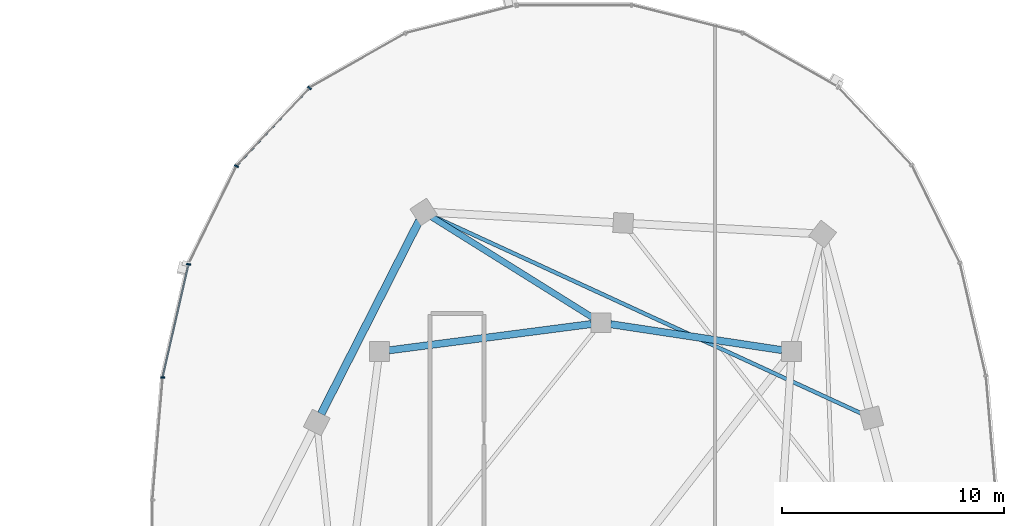
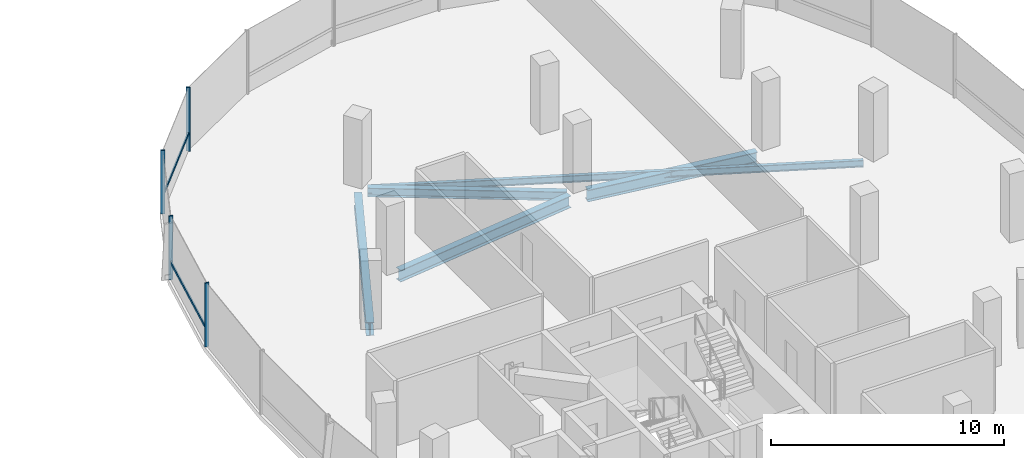
# One storey, part 11 of 24: 6 members, 5 beams, 1 element without a shape of its own.
"""IFC4 building model written with IfcOpenShell, lengths in metres."""

from ifc_helpers import new_model, si_unit, direction, frame, origin, origin_2d, place, context, subcontext, project, spatial, rectangle, i_section, extrude, material, material_profile, profile_set, type_object, element, aggregate, save


model = new_model("IFC4")

# Units and contexts
model_context = context("Model", 3, precision=1e-05, world=origin(), true_north=direction((0.0, 1.0)))
body_context = subcontext(model_context, "Body", "Model", "MODEL_VIEW")
ifc_project = project(units=[si_unit("LENGTHUNIT", "METRE"), si_unit("AREAUNIT", "SQUARE_METRE"), si_unit("VOLUMEUNIT", "CUBIC_METRE"), si_unit("PLANEANGLEUNIT", "RADIAN"), si_unit("MASSUNIT", "GRAM", prefix="KILO"), si_unit("THERMODYNAMICTEMPERATUREUNIT", "KELVIN"), si_unit("POWERUNIT", "WATT")], contexts=[model_context])

# Site, building, storey
site_placement = place(None, origin())
site = spatial("IfcSite", under=ifc_project, at=site_placement, CompositionType="ELEMENT")
building_placement = place(site_placement, origin())
building = spatial("IfcBuilding", under=site, at=building_placement, Name="Cundina Bronze Exchange", CompositionType="ELEMENT")
storey_placement = place(building_placement, frame((0.0, 0.0, 227.800048828125)))
storey = spatial("IfcBuildingStorey", under=building, at=storey_placement, Name="L60", CompositionType="ELEMENT", Elevation=227.800048828125)

# Beams
ifc_material_1 = material(Name="Steel ASTM A992 Grade 50", Category="steel")
ifc_material_profile_1 = material_profile(ifc_material_1, i_section(OverallWidth=0.280029296875, OverallDepth=0.462890625, WebThickness=0.0107421875, FlangeThickness=0.017333984375, FilletRadius=0.011962890625, at=origin_2d()), Name="W18X76", Category="steel")
ifc_profile_set_1 = profile_set([ifc_material_profile_1], Name="Steel ASTM A992 Grade 50")
beam_type_1 = type_object("IfcBeamType", Name="BM-FLR-W18A", PredefinedType="BEAM", material=ifc_profile_set_1)
beam_1_placement = place(storey_placement, frame((32.82861328125, 11.031982421875, -0.491455078125), z_axis=(-0.847995098703, 0.530004068452, 0.0), x_axis=(-0.530004068452, -0.847995098703, 0.0)))
element("IfcBeam", 1, at=beam_1_placement, inside=storey, type_object=beam_type_1, Name="L60 Leg E Chordal Floor Beam 12", PredefinedType="BEAM", context=body_context, shape_type="SweptSolid", body=[
    extrude(i_section(OverallWidth=0.280029296875, OverallDepth=0.462890625, WebThickness=0.0107421875, FlangeThickness=0.017333984375, FilletRadius=0.011962890625, at=origin_2d()), origin(), (0.0, 0.0, 1.0), 8.55810546875),
])
ifc_material_profile_2 = material_profile(ifc_material_1, i_section(OverallWidth=0.172119140625, OverallDepth=0.35791015625, WebThickness=0.0078125, FlangeThickness=0.01318359375, FilletRadius=0.010009765625, at=origin_2d()), Name="W14X38", Category="steel")
ifc_profile_set_2 = profile_set([ifc_material_profile_2], Name="Steel ASTM A992 Grade 50")
beam_type_2 = type_object("IfcBeamType", Name="BM-JST-W14", PredefinedType="JOIST", material=ifc_profile_set_2)
beam_2_placement = place(storey_placement, frame((45.002197265625, 6.68310546875, -0.43896484375), z_axis=(-0.908355026127, 0.418199888224, 0.0), x_axis=(-0.418199888224, -0.908355026127, 0.0)))
element("IfcBeam", 2, at=beam_2_placement, inside=storey, type_object=beam_type_2, Name="L60 Leg E Lobe Floor Joist 09-12", PredefinedType="JOIST", context=body_context, shape_type="SweptSolid", body=[
    extrude(i_section(OverallWidth=0.172119140625, OverallDepth=0.35791015625, WebThickness=0.0078125, FlangeThickness=0.01318359375, FilletRadius=0.010009765625, at=origin_2d()), origin(), (0.0, 0.0, 1.0), 21.362060546875),
])
ifc_material_profile_3 = material_profile(ifc_material_1, i_section(OverallWidth=0.324951171875, OverallDepth=0.615966796875, WebThickness=0.013916015625, FlangeThickness=0.021484375, FilletRadius=0.01611328125, at=origin_2d()), Name="W24X117", Category="steel")
ifc_profile_set_3 = profile_set([ifc_material_profile_3], Name="Steel ASTM A992 Grade 50")
beam_type_3 = type_object("IfcBeamType", Name="BM-RING-W24", PredefinedType="USERDEFINED", material=ifc_profile_set_3)
beam_3_placement = place(storey_placement, frame((41.366943359375, 9.5654296875, -0.568115234375), z_axis=(-0.988764903598, 0.149478979839, 0.0), x_axis=(-0.149478979839, -0.988764903598, 0.0)))
element("IfcBeam", 3, at=beam_3_placement, inside=storey, type_object=beam_type_3, Name="L60 E Inner Structural Ring Girder 05", ObjectType="GIRDER", PredefinedType="USERDEFINED", context=body_context, shape_type="SweptSolid", body=[
    extrude(i_section(OverallWidth=0.324951171875, OverallDepth=0.615966796875, WebThickness=0.013916015625, FlangeThickness=0.021484375, FilletRadius=0.01611328125, at=origin_2d()), origin(), (0.0, 0.0, 1.0), 7.82177734375),
])
beam_4_placement = place(storey_placement, frame((32.765625, 10.743408203125, -0.568115234375), z_axis=(-0.991656498582, -0.128908451316, 0.0), x_axis=(0.128908451316, -0.991656498582, 0.0)))
element("IfcBeam", 4, at=beam_4_placement, inside=storey, type_object=beam_type_3, Name="L60 E Inner Structural Ring Girder 06", ObjectType="GIRDER", PredefinedType="USERDEFINED", context=body_context, shape_type="SweptSolid", body=[
    extrude(i_section(OverallWidth=0.324951171875, OverallDepth=0.615966796875, WebThickness=0.013916015625, FlangeThickness=0.021484375, FilletRadius=0.01611328125, at=origin_2d()), origin(), (0.0, 0.0, 1.0), 9.208251953125),
])
ifc_material_profile_4 = material_profile(ifc_material_1, i_section(OverallWidth=0.35498046875, OverallDepth=0.695068359375, WebThickness=0.015380859375, FlangeThickness=0.02490234375, FilletRadius=0.01806640625, at=origin_2d()), Name="W27X146", Category="steel")
ifc_profile_set_4 = profile_set([ifc_material_profile_4], Name="Steel ASTM A992 Grade 50")
beam_type_4 = type_object("IfcBeamType", Name="BM-RING-W27", PredefinedType="USERDEFINED", material=ifc_profile_set_4)
beam_5_placement = place(storey_placement, frame((25.001708984375, 15.409423828125, -0.607666015625), z_axis=(-0.452846871434, -0.891588308039, 0.0), x_axis=(0.891588308039, -0.452846871434, 0.0)))
element("IfcBeam", 5, at=beam_5_placement, inside=storey, type_object=beam_type_4, Name="L60 E Perimeter Ring Girder 12", ObjectType="GIRDER", PredefinedType="USERDEFINED", context=body_context, shape_type="SweptSolid", body=[
    extrude(i_section(OverallWidth=0.35498046875, OverallDepth=0.695068359375, WebThickness=0.015380859375, FlangeThickness=0.02490234375, FilletRadius=0.01806640625, at=origin_2d()), origin(), (0.0, 0.0, 1.0), 9.779052734375),
])

# Curtain wall, members
ifc_material_2 = material(Name="Anodised Bronze Aluminium 6063-T6", Category="aluminium")
curtain_wall_type = type_object("IfcCurtainWallType", Name="CWS-UPP-OFF", PredefinedType="NOTDEFINED", material=ifc_material_2)
curtain_wall_placement = place(storey_placement, origin())
curtain_wall = element("IfcCurtainWall", 6, at=curtain_wall_placement, inside=storey, type_object=curtain_wall_type, Name="L60 CW-05 Curtain Wall Run CWR-L60-E2", PredefinedType="NOTDEFINED")
ifc_material_profile_5 = material_profile(ifc_material_2, rectangle(XDim=0.070068359375, YDim=0.18994140625, at=origin_2d()), Name="AL70X190", Category="aluminium")
ifc_profile_set_5 = profile_set([ifc_material_profile_5], Name="Anodised Bronze Aluminium 6063-T6")
member_type_1 = type_object("IfcMemberType", Name="CWM-MUL-190", PredefinedType="MULLION", material=ifc_profile_set_5)
member_1_placement = place(storey_placement, frame((20.05126953125, 21.392578125, 0.0), z_axis=(0.0, 0.0, 1.0), x_axis=(-0.684292606175, -0.729207535023, 0.0)))
member_1 = element("IfcMember", 7, at=member_1_placement, type_object=member_type_1, Name="CW-05 Mullion 3", PredefinedType="MULLION", context=body_context, shape_type="SweptSolid", body=[
    extrude(rectangle(XDim=0.070068359375, YDim=0.18994140625, at=origin_2d()), origin(), (0.0, 0.0, 1.0), 3.33984375),
])
member_2_placement = place(storey_placement, frame((16.754638671875, 17.866455078125, 0.0), z_axis=(0.0, 0.0, 1.0), x_axis=(-0.440566004113, -0.897720221461, 0.0)))
member_2 = element("IfcMember", 8, at=member_2_placement, type_object=member_type_1, Name="CW-05 Mullion 4", PredefinedType="MULLION", context=body_context, shape_type="SweptSolid", body=[
    extrude(rectangle(XDim=0.070068359375, YDim=0.18994140625, at=origin_2d()), origin(), (0.0, 0.0, 1.0), 3.33984375),
])
member_3_placement = place(storey_placement, frame((14.59228515625, 13.440673828125, 0.0), z_axis=(0.0, 0.0, 1.0), x_axis=(-0.223250116011, -0.974761194191, 0.0)))
member_3 = element("IfcMember", 9, at=member_3_placement, type_object=member_type_1, Name="CW-05 Mullion 5", PredefinedType="MULLION", context=body_context, shape_type="SweptSolid", body=[
    extrude(rectangle(XDim=0.070068359375, YDim=0.18994140625, at=origin_2d()), origin(), (0.0, 0.0, 1.0), 3.33984375),
])
member_4_placement = place(storey_placement, frame((13.427490234375, 8.33056640625, 0.0), z_axis=(0.0, 0.0, 1.0), x_axis=(-0.083677843332, -0.99649285925, 0.0)))
member_4 = element("IfcMember", 10, at=member_4_placement, type_object=member_type_1, Name="CW-05 Mullion 6", PredefinedType="MULLION", context=body_context, shape_type="SweptSolid", body=[
    extrude(rectangle(XDim=0.070068359375, YDim=0.18994140625, at=origin_2d()), origin(), (0.0, 0.0, 1.0), 3.33984375),
])
ifc_material_profile_6 = material_profile(ifc_material_2, rectangle(XDim=0.06494140625, YDim=0.14990234375, at=origin_2d()), Name="AL65X150", Category="aluminium")
ifc_profile_set_6 = profile_set([ifc_material_profile_6], Name="Anodised Bronze Aluminium 6063-T6")
member_type_2 = type_object("IfcMemberType", Name="CWM-TRN-150", PredefinedType="USERDEFINED", material=ifc_profile_set_6)
member_5_placement = place(storey_placement, frame((20.02490234375, 21.364501953125, 0.919921875), z_axis=(-0.684336416554, -0.729166420633, 0.0), x_axis=(0.729166420633, -0.684336416554, 0.0)))
member_5 = element("IfcMember", 11, at=member_5_placement, type_object=member_type_2, Name="CW-05 Spandrel Transom 3", ObjectType="TRANSOM", PredefinedType="USERDEFINED", context=body_context, shape_type="SweptSolid", body=[
    extrude(rectangle(XDim=0.06494140625, YDim=0.14990234375, at=origin_2d()), origin(), (0.0, 0.0, 1.0), 4.76513671875),
])
member_6_placement = place(storey_placement, frame((14.58349609375, 13.403076171875, 0.919921875), z_axis=(-0.22328343579, -0.974753562344, 0.0), x_axis=(0.974753562344, -0.22328343579, 0.0)))
member_6 = element("IfcMember", 12, at=member_6_placement, type_object=member_type_2, Name="CW-05 Spandrel Transom 5", ObjectType="TRANSOM", PredefinedType="USERDEFINED", context=body_context, shape_type="SweptSolid", body=[
    extrude(rectangle(XDim=0.06494140625, YDim=0.14990234375, at=origin_2d()), origin(), (0.0, 0.0, 1.0), 5.159912109375),
])
aggregate(curtain_wall, [member_1, member_5, member_2, member_3, member_6, member_4])

save(model, "model.ifc")
